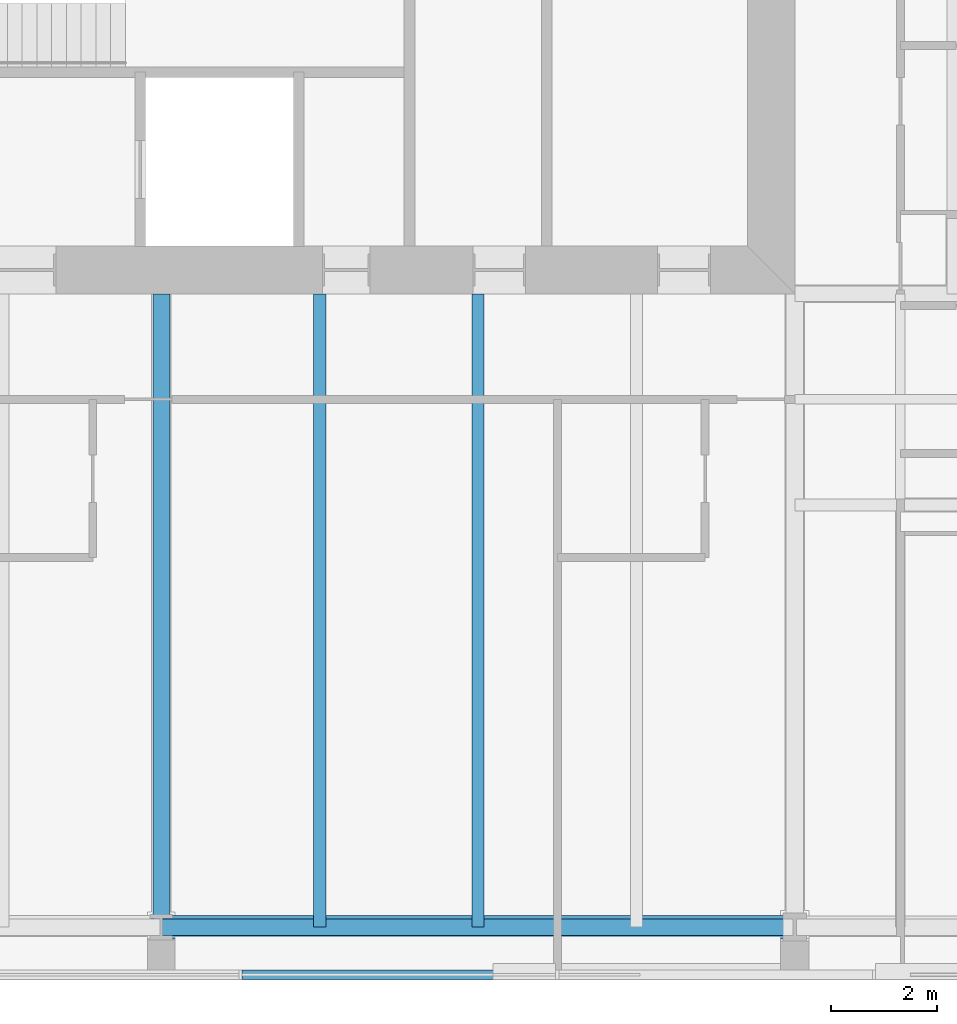
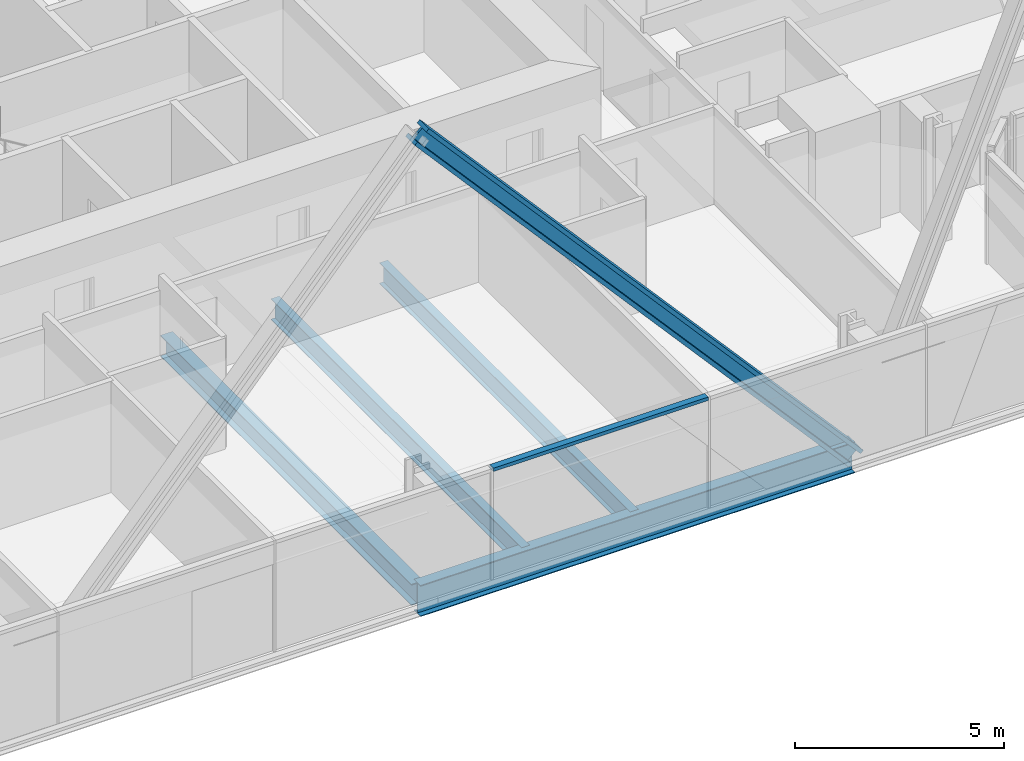
# One storey, part 3 of 18: 4 beams, 2 members, 1 element without a shape of its own.
"""IFC4 building model written with IfcOpenShell, lengths in metres."""

import ifcopenshell
import ifcopenshell.guid

model = None  # the IFC model being written
_history = None  # IfcOwnerHistory: only IFC2X3 demands one
_inside = {}  # id of a spatial element -> (the spatial element, [elements in it])
_under = {}  # id of a project, library or spatial element -> (it, [spatial elements below it])
_declared = {}  # id of a project -> (the project, [libraries it declares])
_typed = {}  # id of a type object -> (the type object, [elements of that type])
_made_of = {}  # id of a material, layer set ... -> (it, [elements and type objects made of it])


def new_model(schema):
    """Start an empty IFC model of exactly this schema.

    Asked for "IFC4X3", IfcOpenShell would pick the latest addendum, in which some entities
    have other attributes; the version numbers below select the first issue.
    IFC2X3 requires an IfcOwnerHistory on every rooted entity: one is made here for all.
    """
    global model, _history
    if schema == "IFC4X3":
        model = ifcopenshell.file(schema_version=(4, 3, 0, 0))
    else:
        model = ifcopenshell.file(schema=schema)
    _inside.clear()
    _under.clear()
    _declared.clear()
    _typed.clear()
    _made_of.clear()
    _history = None
    if model.schema == "IFC2X3":
        org = make("IfcOrganization", Name="unknown")
        user = make(
            "IfcPersonAndOrganization",
            ThePerson=make("IfcPerson", FamilyName="unknown"),
            TheOrganization=org,
        )
        app = make(
            "IfcApplication",
            ApplicationDeveloper=org,
            Version="unknown",
            ApplicationFullName="unknown",
            ApplicationIdentifier="unknown",
        )
        _history = make(
            "IfcOwnerHistory",
            OwningUser=user,
            OwningApplication=app,
            ChangeAction="ADDED",
            CreationDate=0,
        )
    return model


def make(cls, **values):
    """One entity of the class cls with the attributes given. An attribute that is None is left unset."""
    return model.create_entity(
        cls, **{name: value for name, value in values.items() if value is not None}
    )


def rooted(cls, **values):
    """An entity with a GlobalId (a new one), such as an element, a storey or a relation."""
    return make(cls, GlobalId=ifcopenshell.guid.new(), OwnerHistory=_history, **values)


def si_unit(unit_type, name, prefix=None):
    """IfcSIUnit, for example si_unit("LENGTHUNIT", "METRE", prefix="MILLI")."""
    return make("IfcSIUnit", UnitType=unit_type, Prefix=prefix, Name=name)


def assignment(units):
    """IfcUnitAssignment: the units of a project."""
    return None if units is None else make("IfcUnitAssignment", Units=units)


def point(xyz):
    """IfcCartesianPoint."""
    return None if xyz is None else make("IfcCartesianPoint", Coordinates=xyz)


def direction(xyz):
    """IfcDirection."""
    return None if xyz is None else make("IfcDirection", DirectionRatios=xyz)


def frame(location, z_axis=None, x_axis=None):
    """IfcAxis2Placement3D, a coordinate frame: its origin and axes. An axis left out is left unset."""
    return make(
        "IfcAxis2Placement3D",
        Location=point(location),
        Axis=direction(z_axis),
        RefDirection=direction(x_axis),
    )


def frame_2d(location, x_axis=None):
    """IfcAxis2Placement2D, a coordinate frame in the plane: its origin and x axis."""
    return make(
        "IfcAxis2Placement2D", Location=point(location), RefDirection=direction(x_axis)
    )


def origin():
    """The frame at (0, 0, 0) with its axes left unset."""
    return frame((0.0, 0.0, 0.0))


def origin_2d():
    """The frame at (0, 0) in the plane with its x axis left unset."""
    return frame_2d((0.0, 0.0))


def place(relative_to, where):
    """IfcLocalPlacement: puts the frame where relative to a parent placement (None: the world)."""
    return make(
        "IfcLocalPlacement", PlacementRelTo=relative_to, RelativePlacement=where
    )


def context(
    kind, dimensions, precision=None, world=None, true_north=None, identifier=None
):
    """IfcGeometricRepresentationContext, for example the 3D "Model" context."""
    return make(
        "IfcGeometricRepresentationContext",
        ContextIdentifier=identifier,
        ContextType=kind,
        CoordinateSpaceDimension=dimensions,
        Precision=precision,
        WorldCoordinateSystem=world,
        TrueNorth=true_north,
    )


def subcontext(parent, identifier, kind, view, scale=None):
    """IfcGeometricRepresentationSubContext, for example "Body" below "Model"."""
    return make(
        "IfcGeometricRepresentationSubContext",
        ContextIdentifier=identifier,
        ContextType=kind,
        ParentContext=parent,
        TargetScale=scale,
        TargetView=view,
    )


def project(units=None, contexts=None):
    """IfcProject with its units and contexts."""
    return rooted(
        "IfcProject",
        Name="project",
        RepresentationContexts=contexts,
        UnitsInContext=assignment(units),
    )


def spatial(cls, under=None, at=None, **own):
    """A site, building, storey or space (cls), placed at a placement, below another one or the project."""
    s = rooted(cls, ObjectPlacement=at, **own)
    if under is not None:
        _under.setdefault(under.id(), (under, []))[1].append(s)
    return s


def profile(cls, at=None, kind="AREA", **sizes):
    """A parametric profile (cls). Its sizes go by their IFC names, for example OverallWidth=200.0."""
    return make(cls, ProfileType=kind, Position=at, **sizes)


def rectangle(**sizes):
    """IfcRectangleProfileDef."""
    return profile("IfcRectangleProfileDef", **sizes)


def i_section(**sizes):
    """IfcIShapeProfileDef."""
    return profile("IfcIShapeProfileDef", **sizes)


def extrude(swept, where, along, depth):
    """IfcExtrudedAreaSolid: the profile swept, set in the frame where, extruded along a direction by depth."""
    return make(
        "IfcExtrudedAreaSolid",
        SweptArea=swept,
        Position=where,
        ExtrudedDirection=direction(along),
        Depth=depth,
    )


def shape(context_of_items, identifier, shape_type, items):
    """IfcShapeRepresentation: the items that make up one representation, for example the "Body"."""
    return make(
        "IfcShapeRepresentation",
        ContextOfItems=context_of_items,
        RepresentationIdentifier=identifier,
        RepresentationType=shape_type,
        Items=items,
    )


def material(Name=None, Category=None):
    """IfcMaterial."""
    return make("IfcMaterial", Name=Name, Category=Category)


def material_profile(
    of_material, cross_section, Name=None, Category=None, Priority=None
):
    """IfcMaterialProfile: a cross section and its material."""
    return make(
        "IfcMaterialProfile",
        Name=Name,
        Material=of_material,
        Profile=cross_section,
        Priority=Priority,
        Category=Category,
    )


def profile_set(profiles, Name=None, composite=None):
    """IfcMaterialProfileSet."""
    return make(
        "IfcMaterialProfileSet",
        Name=Name,
        MaterialProfiles=profiles,
        CompositeProfile=composite,
    )


def made_of(thing, what):
    """Note that an element or type object is made of a material, layer set ...; save() writes the relation."""
    if what is not None:
        _made_of.setdefault(what.id(), (what, []))[1].append(thing)
    return thing


def type_object(cls, material=None, **own):
    """A type object (cls), such as IfcWallType, which elements share."""
    return made_of(rooted(cls, **own), material)


def element(
    cls,
    number,
    at=None,
    inside=None,
    cuts=None,
    type_object=None,
    material=None,
    context=None,
    identifier="Body",
    shape_type=None,
    held_by="IfcProductDefinitionShape",
    body=None,
    shapes=None,
    **own,
):
    """One element of the class cls, such as IfcWall. Its Tag is "e" and its number.

    at: its placement. inside: the storey or other place that contains it. cuts: it is an
    opening in that element (IfcRelVoidsElement). A single representation is given by context,
    identifier, shape_type and body (its items); several are given by shapes. held_by: the class
    of the entity that holds the representations. save() writes the other relations.
    """
    e = rooted(cls, Tag="e%d" % number, ObjectPlacement=at, **own)
    if body is not None:
        shapes = [shape(context, identifier, shape_type, body)]
    if shapes is not None:
        e.Representation = make(held_by, Representations=shapes)
    if inside is not None:
        _inside.setdefault(inside.id(), (inside, []))[1].append(e)
    if cuts is not None:
        rooted(
            "IfcRelVoidsElement", RelatingBuildingElement=cuts, RelatedOpeningElement=e
        )
    if type_object is not None:
        _typed.setdefault(type_object.id(), (type_object, []))[1].append(e)
    return made_of(e, material)


def aggregate(whole, parts):
    """IfcRelAggregates: a whole, such as a stair, and the parts it consists of."""
    return rooted("IfcRelAggregates", RelatingObject=whole, RelatedObjects=parts)


def save(model, path):
    """Write the relations noted so far, then the file.

    IfcRelAggregates (storeys below a building ...), IfcRelContainedInSpatialStructure (elements
    in a storey), IfcRelDefinesByType, IfcRelAssociatesMaterial and IfcRelDeclares: one each for
    every whole, place, type object, material and project.
    """
    for whole, parts in _under.values():
        aggregate(whole, parts)
    for where, things in _inside.values():
        rooted(
            "IfcRelContainedInSpatialStructure",
            RelatedElements=things,
            RelatingStructure=where,
        )
    for kind, things in _typed.values():
        rooted("IfcRelDefinesByType", RelatedObjects=things, RelatingType=kind)
    for what, things in _made_of.values():
        rooted("IfcRelAssociatesMaterial", RelatedObjects=things, RelatingMaterial=what)
    for by, libraries in _declared.values():
        rooted("IfcRelDeclares", RelatingContext=by, RelatedDefinitions=libraries)
    model.write(path)


model = new_model("IFC4")

# Units and contexts
model_context = context("Model", 3, precision=1e-05, world=origin(), true_north=direction((0.0, 1.0)))
body_context = subcontext(model_context, "Body", "Model", "MODEL_VIEW")
ifc_project = project(units=[si_unit("LENGTHUNIT", "METRE"), si_unit("AREAUNIT", "SQUARE_METRE"), si_unit("VOLUMEUNIT", "CUBIC_METRE"), si_unit("PLANEANGLEUNIT", "RADIAN"), si_unit("MASSUNIT", "GRAM", prefix="KILO")], contexts=[model_context])

# Site, building, storey
site_placement = place(None, origin())
site = spatial("IfcSite", under=ifc_project, at=site_placement, CompositionType="ELEMENT")
building_placement = place(site_placement, origin())
building = spatial("IfcBuilding", under=site, at=building_placement, Name="Fenwick Lantern Interchange", CompositionType="ELEMENT")
storey_placement = place(building_placement, frame((0.0, 0.0, 269.60009765625)))
storey = spatial("IfcBuildingStorey", under=building, at=storey_placement, Name="L64", CompositionType="ELEMENT", Elevation=269.60009765625)

# Beam
ifc_material_1 = material(Name="Steel ASTM A992 Grade 50", Category="steel")
ifc_material_profile_1 = material_profile(ifc_material_1, i_section(OverallWidth=0.3046875, OverallDepth=0.911865234375, WebThickness=0.015869140625, FlangeThickness=0.02392578125, at=origin_2d()), Name="W36X150")
ifc_profile_set_1 = profile_set([ifc_material_profile_1], Name="Steel ASTM A992 Grade 50")
beam_type_1 = type_object("IfcBeamType", Name="EDGE BEAM W36X150", PredefinedType="SPANDREL", material=ifc_profile_set_1)
beam_1_placement = place(storey_placement, frame((25.0, 1.0, -0.60595703125), z_axis=(1.0, 0.0, 0.0), x_axis=(0.0, 1.0, 0.0)))
element("IfcBeam", 1, at=beam_1_placement, inside=storey, type_object=beam_type_1, Name="L64/FR/S/EB3", PredefinedType="SPANDREL", context=body_context, shape_type="SweptSolid", body=[
    extrude(i_section(OverallWidth=0.3046875, OverallDepth=0.911865234375, WebThickness=0.015869140625, FlangeThickness=0.02392578125, at=origin_2d()), origin(), (0.0, 0.0, 1.0), 12.0),
])

# Member
ifc_material_profile_2 = material_profile(ifc_material_1, i_section(OverallWidth=0.44189453125, OverallDepth=0.53076171875, WebThickness=0.06591796875, FlangeThickness=0.105712890625, at=origin_2d()), Name="W14X605")
ifc_profile_set_2 = profile_set([ifc_material_profile_2], Name="Steel ASTM A992 Grade 50")
member_type_1 = type_object("IfcMemberType", Name="FACADE BRACE W14X605", PredefinedType="BRACE", material=ifc_profile_set_2)
member_1_placement = place(storey_placement, frame((37.0, 1.0, -0.60595703125), z_axis=(-0.661625643894, 0.0, 0.749834319928), x_axis=(0.0, -1.0, 0.0)))
element("IfcMember", 2, at=member_1_placement, inside=storey, type_object=member_type_1, Name="L64/FB/S/B", PredefinedType="BRACE", context=body_context, shape_type="SweptSolid", body=[
    extrude(i_section(OverallWidth=0.44189453125, OverallDepth=0.53076171875, WebThickness=0.06591796875, FlangeThickness=0.105712890625, at=origin_2d()), origin(), (0.0, 0.0, 1.0), 18.13720703125),
])

# Beams
ifc_material_profile_3 = material_profile(ifc_material_1, i_section(OverallWidth=0.22900390625, OverallDepth=0.612060546875, WebThickness=0.011962890625, FlangeThickness=0.01953125, at=origin_2d()), Name="W24X84")
ifc_profile_set_3 = profile_set([ifc_material_profile_3], Name="Steel ASTM A992 Grade 50")
beam_type_2 = type_object("IfcBeamType", Name="FLOOR BEAM W24X84", PredefinedType="BEAM", material=ifc_profile_set_3)
for number, where, z_axis, x_axis, name in (
    (3, (28.0, 1.0, -0.4560546875), (0.0, 1.0, 0.0), (-1.0, 0.0, 0.0), "L64/FR/S/R06"),
    (4, (31.0, 1.0, -0.4560546875), (0.0, 1.0, 0.0), (-1.0, 0.0, 0.0), "L64/FR/S/R07"),
):
    element("IfcBeam", number, at=place(storey_placement, frame(where, z_axis=z_axis, x_axis=x_axis)), inside=storey, type_object=beam_type_2, Name=name, PredefinedType="BEAM", context=body_context, shape_type="SweptSolid", body=[
        extrude(i_section(OverallWidth=0.22900390625, OverallDepth=0.612060546875, WebThickness=0.011962890625, FlangeThickness=0.01953125, at=origin_2d()), origin(), (0.0, 0.0, 1.0), 12.0),
    ])

# Curtain wall, member
ifc_material_2 = material(Name="Aluminium curtain wall frame", Category="aluminium")
curtain_wall_type = type_object("IfcCurtainWallType", Name="HOTEL CURTAIN WALL", PredefinedType="USERDEFINED", material=ifc_material_2)
curtain_wall_placement = place(storey_placement, origin())
curtain_wall = element("IfcCurtainWall", 5, at=curtain_wall_placement, inside=storey, type_object=curtain_wall_type, Name="Hotel curtain wall 01", ObjectType="HOTEL CURTAIN WALL", PredefinedType="USERDEFINED")
ifc_material_3 = material(Name="Aluminium extrusion", Category="aluminium")
ifc_material_profile_4 = material_profile(ifc_material_3, rectangle(XDim=0.179931640625, YDim=0.10009765625, at=origin_2d()), Name="HOTEL CURTAIN WALL TRANSOM 100 X 180")
ifc_profile_set_4 = profile_set([ifc_material_profile_4], Name="Aluminium extrusion")
member_type_2 = type_object("IfcMemberType", Name="HOTEL CURTAIN WALL TRANSOM 100 X 180", PredefinedType="MULLION", material=ifc_profile_set_4)
member_2_placement = place(storey_placement, frame((26.530029296875, 0.10009765625, 3.199951171875), z_axis=(1.0, 0.0, 0.0), x_axis=(0.0, 1.0, 0.0)))
member_2 = element("IfcMember", 6, at=member_2_placement, type_object=member_type_2, Name="L64/CW/01/T04", PredefinedType="MULLION", context=body_context, shape_type="SweptSolid", body=[
    extrude(rectangle(XDim=0.179931640625, YDim=0.10009765625, at=origin_2d()), origin(), (0.0, 0.0, 1.0), 5.93994140625),
])
aggregate(curtain_wall, [member_2])

# Beam
ifc_material_profile_5 = material_profile(ifc_material_1, i_section(OverallWidth=0.32763671875, OverallDepth=0.622314453125, WebThickness=0.015380859375, FlangeThickness=0.0244140625, at=origin_2d()), Name="W24X131")
ifc_profile_set_5 = profile_set([ifc_material_profile_5], Name="Steel ASTM A992 Grade 50")
beam_type_3 = type_object("IfcBeamType", Name="MOMENT-CONNECTED GIRDER W24X131", PredefinedType="BEAM", material=ifc_profile_set_5)
beam_2_placement = place(storey_placement, frame((25.0, 1.0, -0.461181640625), z_axis=(0.0, 1.0, 0.0), x_axis=(-1.0, 0.0, 0.0)))
element("IfcBeam", 7, at=beam_2_placement, inside=storey, type_object=beam_type_3, Name="L64/FR/S/R05", PredefinedType="BEAM", context=body_context, shape_type="SweptSolid", body=[
    extrude(i_section(OverallWidth=0.32763671875, OverallDepth=0.622314453125, WebThickness=0.015380859375, FlangeThickness=0.0244140625, at=origin_2d()), origin(), (0.0, 0.0, 1.0), 12.0),
])

save(model, "model.ifc")
